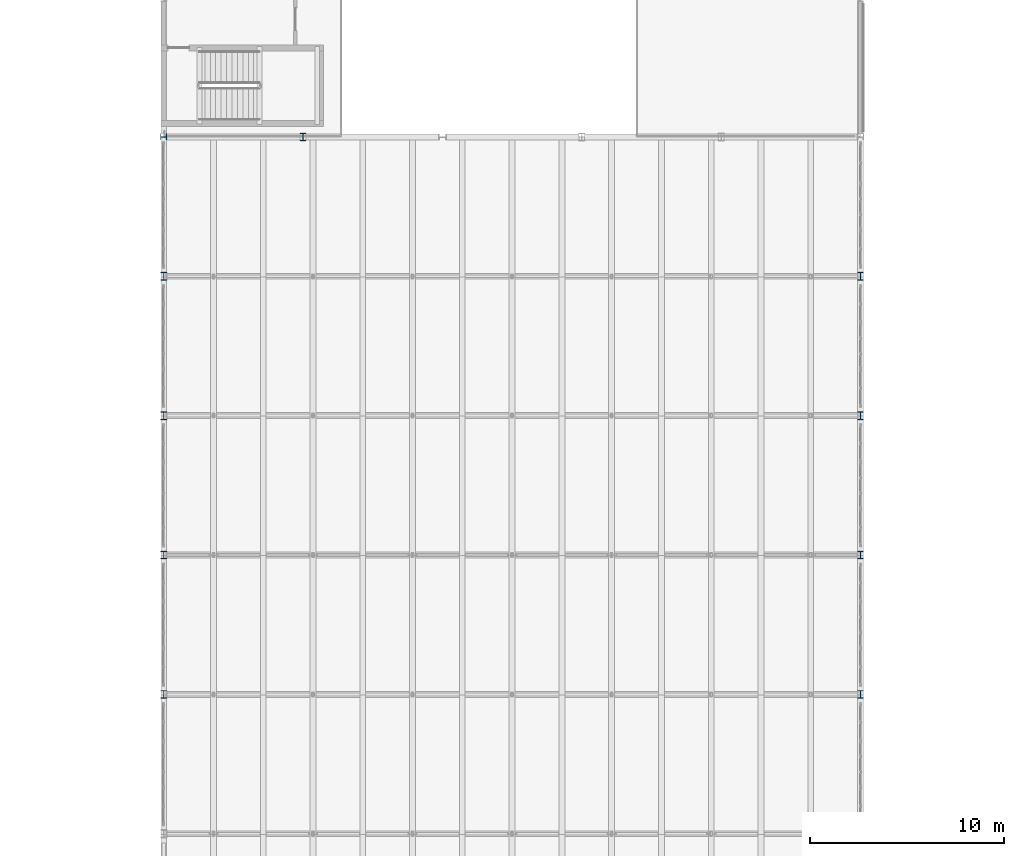
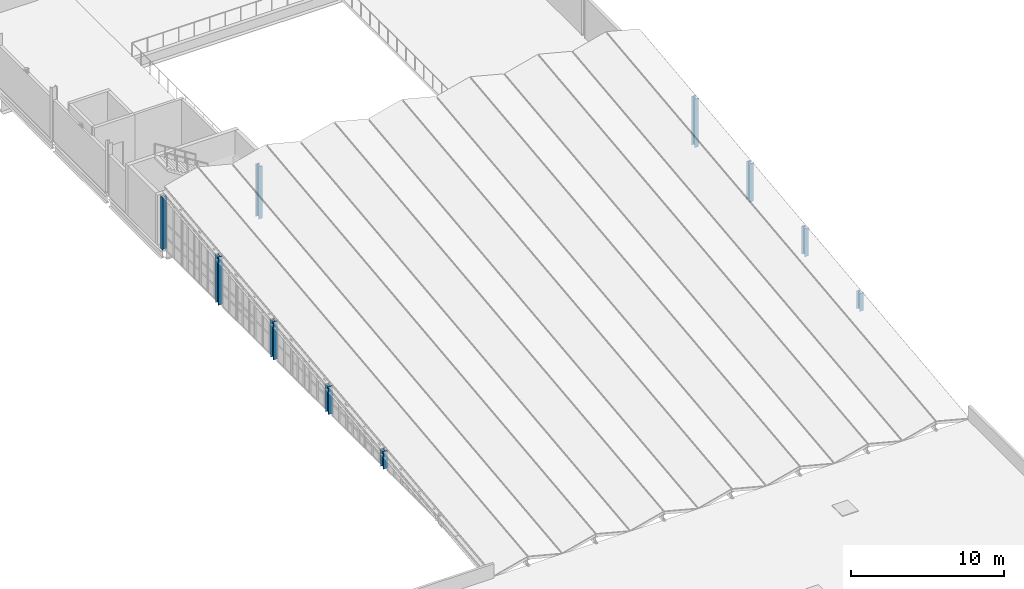
# One storey, part 1 of 48: 10 columns.
"""IFC4 building model written with IfcOpenShell, lengths in metres."""

from ifc_helpers import new_model, si_unit, direction, frame, origin, origin_2d, place, context, subcontext, project, spatial, i_section, extrude, material, material_profile, profile_set, type_object, element, save


model = new_model("IFC4")

# Units and contexts
model_context = context("Model", 3, precision=1e-05, world=origin(), true_north=direction((0.0, 1.0)))
body_context = subcontext(model_context, "Body", "Model", "MODEL_VIEW")
ifc_project = project(units=[si_unit("LENGTHUNIT", "METRE"), si_unit("AREAUNIT", "SQUARE_METRE"), si_unit("VOLUMEUNIT", "CUBIC_METRE"), si_unit("PLANEANGLEUNIT", "RADIAN"), si_unit("MASSUNIT", "GRAM", prefix="KILO"), si_unit("THERMODYNAMICTEMPERATUREUNIT", "KELVIN"), si_unit("POWERUNIT", "WATT")], contexts=[model_context])

# Site, building, storey
site_placement = place(None, origin())
site = spatial("IfcSite", under=ifc_project, at=site_placement, CompositionType="ELEMENT")
building_placement = place(site_placement, origin())
building = spatial("IfcBuilding", under=site, at=building_placement, Name="Kaldorven Railside Theatre", CompositionType="ELEMENT")
storey_placement = place(building_placement, frame((0.0, 0.0, 18.89990234375)))
storey = spatial("IfcBuildingStorey", under=building, at=storey_placement, Name="L04", CompositionType="ELEMENT", Elevation=18.89990234375)

# Columns
ifc_material = material(Name="Steel S355", Category="steel")
ifc_material_profile_1 = material_profile(ifc_material, i_section(OverallWidth=0.300048828125, OverallDepth=0.39990234375, WebThickness=0.013427734375, FlangeThickness=0.02392578125, at=origin_2d()), Name="HEB 400")
ifc_profile_set_1 = profile_set([ifc_material_profile_1], Name="Steel S355")
column_type_1 = type_object("IfcColumnType", Name="COL-HEB400", PredefinedType="COLUMN", material=ifc_profile_set_1)
column_1_placement = place(storey_placement, frame((94.39990234375, 84.0, 0.0), z_axis=(0.0, 0.0, 1.0), x_axis=(1.0, 0.0, 0.0)))
element("IfcColumn", 1, at=column_1_placement, inside=storey, type_object=column_type_1, Name="L04 Column CG-L04-094-084", PredefinedType="COLUMN", context=body_context, shape_type="SweptSolid", body=[
    extrude(i_section(OverallWidth=0.300048828125, OverallDepth=0.39990234375, WebThickness=0.013427734375, FlangeThickness=0.02392578125, at=origin_2d()), origin(), (0.0, 0.0, 1.0), 4.2001953125),
])
column_2_placement = place(storey_placement, frame((87.199951171875, 55.199951171875, 0.0), z_axis=(0.0, 0.0, 1.0), x_axis=(1.0, 0.0, 0.0)))
element("IfcColumn", 2, at=column_2_placement, inside=storey, type_object=column_type_1, Name="V1 Folded-Roof Bearing Stanchion", PredefinedType="COLUMN", context=body_context, shape_type="SweptSolid", body=[
    extrude(i_section(OverallWidth=0.300048828125, OverallDepth=0.39990234375, WebThickness=0.013427734375, FlangeThickness=0.02392578125, at=origin_2d()), origin(), (0.0, 0.0, 1.0), 1.423828125),
])
column_3_placement = place(storey_placement, frame((87.199951171875, 62.39990234375, 0.0), z_axis=(0.0, 0.0, 1.0), x_axis=(1.0, 0.0, 0.0)))
element("IfcColumn", 3, at=column_3_placement, inside=storey, type_object=column_type_1, Name="V1 Folded-Roof Bearing Stanchion", PredefinedType="COLUMN", context=body_context, shape_type="SweptSolid", body=[
    extrude(i_section(OverallWidth=0.300048828125, OverallDepth=0.39990234375, WebThickness=0.013427734375, FlangeThickness=0.02392578125, at=origin_2d()), origin(), (0.0, 0.0, 1.0), 2.243896484375),
])
column_4_placement = place(storey_placement, frame((87.199951171875, 69.60009765625, 0.0), z_axis=(0.0, 0.0, 1.0), x_axis=(1.0, 0.0, 0.0)))
element("IfcColumn", 4, at=column_4_placement, inside=storey, type_object=column_type_1, Name="V1 Folded-Roof Bearing Stanchion", PredefinedType="COLUMN", context=body_context, shape_type="SweptSolid", body=[
    extrude(i_section(OverallWidth=0.300048828125, OverallDepth=0.39990234375, WebThickness=0.013427734375, FlangeThickness=0.02392578125, at=origin_2d()), origin(), (0.0, 0.0, 1.0), 3.063720703125),
])
column_5_placement = place(storey_placement, frame((87.199951171875, 76.800048828125, 0.0), z_axis=(0.0, 0.0, 1.0), x_axis=(1.0, 0.0, 0.0)))
element("IfcColumn", 5, at=column_5_placement, inside=storey, type_object=column_type_1, Name="V1 Folded-Roof Bearing Stanchion", PredefinedType="COLUMN", context=body_context, shape_type="SweptSolid", body=[
    extrude(i_section(OverallWidth=0.300048828125, OverallDepth=0.39990234375, WebThickness=0.013427734375, FlangeThickness=0.02392578125, at=origin_2d()), origin(), (0.0, 0.0, 1.0), 3.8837890625),
])
column_6_placement = place(storey_placement, frame((123.199951171875, 55.199951171875, 0.0), z_axis=(0.0, 0.0, 1.0), x_axis=(1.0, 0.0, 0.0)))
element("IfcColumn", 6, at=column_6_placement, inside=storey, type_object=column_type_1, Name="V1 Folded-Roof Bearing Stanchion", PredefinedType="COLUMN", context=body_context, shape_type="SweptSolid", body=[
    extrude(i_section(OverallWidth=0.300048828125, OverallDepth=0.39990234375, WebThickness=0.013427734375, FlangeThickness=0.02392578125, at=origin_2d()), origin(), (0.0, 0.0, 1.0), 1.423828125),
])
column_7_placement = place(storey_placement, frame((123.199951171875, 62.39990234375, 0.0), z_axis=(0.0, 0.0, 1.0), x_axis=(1.0, 0.0, 0.0)))
element("IfcColumn", 7, at=column_7_placement, inside=storey, type_object=column_type_1, Name="V1 Folded-Roof Bearing Stanchion", PredefinedType="COLUMN", context=body_context, shape_type="SweptSolid", body=[
    extrude(i_section(OverallWidth=0.300048828125, OverallDepth=0.39990234375, WebThickness=0.013427734375, FlangeThickness=0.02392578125, at=origin_2d()), origin(), (0.0, 0.0, 1.0), 2.243896484375),
])
column_8_placement = place(storey_placement, frame((123.199951171875, 69.60009765625, 0.0), z_axis=(0.0, 0.0, 1.0), x_axis=(1.0, 0.0, 0.0)))
element("IfcColumn", 8, at=column_8_placement, inside=storey, type_object=column_type_1, Name="V1 Folded-Roof Bearing Stanchion", PredefinedType="COLUMN", context=body_context, shape_type="SweptSolid", body=[
    extrude(i_section(OverallWidth=0.300048828125, OverallDepth=0.39990234375, WebThickness=0.013427734375, FlangeThickness=0.02392578125, at=origin_2d()), origin(), (0.0, 0.0, 1.0), 3.063720703125),
])
column_9_placement = place(storey_placement, frame((123.199951171875, 76.800048828125, 0.0), z_axis=(0.0, 0.0, 1.0), x_axis=(1.0, 0.0, 0.0)))
element("IfcColumn", 9, at=column_9_placement, inside=storey, type_object=column_type_1, Name="V1 Folded-Roof Bearing Stanchion", PredefinedType="COLUMN", context=body_context, shape_type="SweptSolid", body=[
    extrude(i_section(OverallWidth=0.300048828125, OverallDepth=0.39990234375, WebThickness=0.013427734375, FlangeThickness=0.02392578125, at=origin_2d()), origin(), (0.0, 0.0, 1.0), 3.8837890625),
])
ifc_material_profile_2 = material_profile(ifc_material, i_section(OverallWidth=0.30908203125, OverallDepth=0.320556640625, WebThickness=0.013916015625, FlangeThickness=0.021728515625, at=origin_2d()), Name="UC 305x305x137")
ifc_profile_set_2 = profile_set([ifc_material_profile_2], Name="Steel S355")
column_type_2 = type_object("IfcColumnType", Name="COL-UC305", PredefinedType="COLUMN", material=ifc_profile_set_2)
column_10_placement = place(storey_placement, frame((87.199951171875, 84.0, 0.0), z_axis=(0.0, 0.0, 1.0), x_axis=(0.0, 1.0, 0.0)))
element("IfcColumn", 10, at=column_10_placement, inside=storey, type_object=column_type_2, Name="L04 Column CG-L04-087-084", PredefinedType="COLUMN", context=body_context, shape_type="SweptSolid", body=[
    extrude(i_section(OverallWidth=0.30908203125, OverallDepth=0.320556640625, WebThickness=0.013916015625, FlangeThickness=0.021728515625, at=origin_2d()), origin(), (0.0, 0.0, 1.0), 4.2001953125),
])

save(model, "model.ifc")
